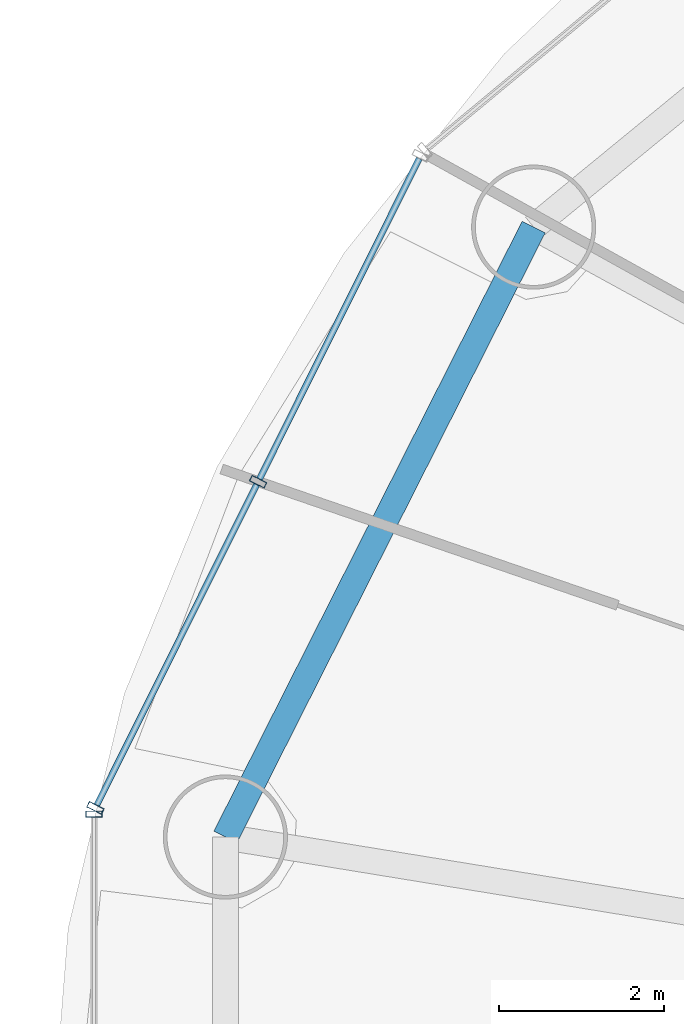
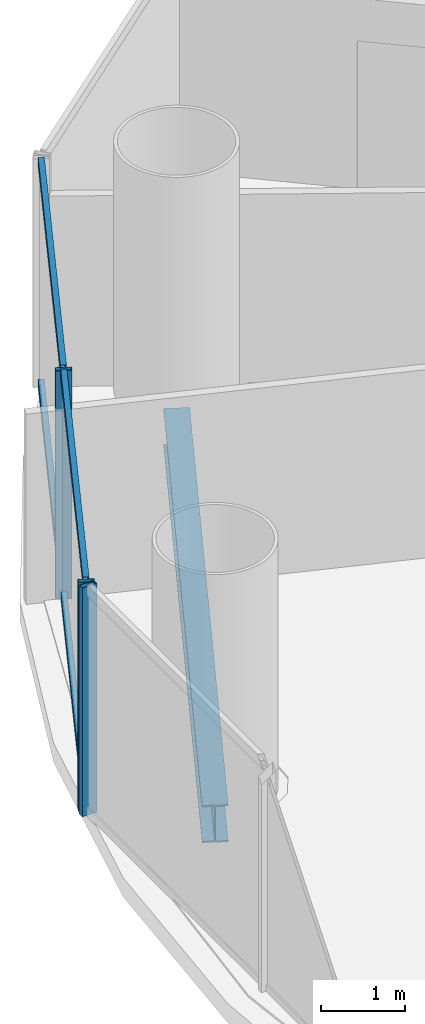
# One storey, part 9 of 29: 7 members, 1 beam, 2 elements without a shape of their own.
"""IFC4 building model written with IfcOpenShell, lengths in metres."""

from ifc_helpers import new_model, si_unit, direction, frame, origin, origin_2d, place, context, subcontext, project, spatial, hollow_rectangle, i_section, extrude, source, transform, mapped, material, material_profile, profile_set, type_object, element, aggregate, save


model = new_model("IFC4")

# Units and contexts
model_context = context("Model", 3, precision=1e-05, world=origin(), true_north=direction((-0.2419218956, 0.970295726276)))
body_context = subcontext(model_context, "Body", "Model", "MODEL_VIEW")
ifc_project = project(units=[si_unit("LENGTHUNIT", "METRE"), si_unit("AREAUNIT", "SQUARE_METRE"), si_unit("VOLUMEUNIT", "CUBIC_METRE"), si_unit("PLANEANGLEUNIT", "RADIAN"), si_unit("MASSUNIT", "GRAM", prefix="KILO")], contexts=[model_context])

# Site, building, storey
site_placement = place(None, origin())
site = spatial("IfcSite", under=ifc_project, at=site_placement, CompositionType="ELEMENT")
building_placement = place(site_placement, origin())
building = spatial("IfcBuilding", under=site, at=building_placement, Name="Cobrevalo Terracotta Tower", CompositionType="ELEMENT")
storey_placement = place(building_placement, frame((0.0, 0.0, 87.0)))
storey = spatial("IfcBuildingStorey", under=building, at=storey_placement, Name="L22", CompositionType="ELEMENT", Elevation=87.0)

# Beam
ifc_material_1 = material(Name="Steel S355", Category="steel")
ifc_material_profile_1 = material_profile(ifc_material_1, i_section(OverallWidth=0.31201171875, OverallDepth=0.54296875, WebThickness=0.0126953125, FlangeThickness=0.020263671875, at=origin_2d()), Name="W 530x150")
ifc_profile_set_1 = profile_set([ifc_material_profile_1], Name="Steel S355")
beam_type = type_object("IfcBeamType", Name="Structural Spandrel W 530x150 (Steel S355)", PredefinedType="SPANDREL", material=ifc_profile_set_1)
beam_placement = place(storey_placement, frame((17.2548828125, 38.161376953125, -0.54638671875), z_axis=(-0.451051982172, -0.892497680321, 0.0), x_axis=(0.892497680321, -0.451051982172, 0.0)))
element("IfcBeam", 1, at=beam_placement, inside=storey, type_object=beam_type, Name="L22 perimeter ring spandrel 07", PredefinedType="SPANDREL", context=body_context, shape_type="SweptSolid", body=[
    extrude(i_section(OverallWidth=0.31201171875, OverallDepth=0.54296875, WebThickness=0.0126953125, FlangeThickness=0.020263671875, at=origin_2d()), origin(), (0.0, 0.0, 1.0), 8.259765625),
])

# Curtain wall, members
ifc_material_2 = material(Name="Anodized aluminium", Category="aluminium")
curtain_wall_type = type_object("IfcCurtainWallType", Name="Lower-tower unitised acoustic low-E curtain wall CW-U1", PredefinedType="NOTDEFINED", material=ifc_material_2)
curtain_wall_1_placement = place(storey_placement, origin())
curtain_wall_1 = element("IfcCurtainWall", 2, at=curtain_wall_1_placement, inside=storey, type_object=curtain_wall_type, Name="L22 curtain wall CW-L22-S07", PredefinedType="NOTDEFINED")
ifc_material_profile_2 = material_profile(ifc_material_2, hollow_rectangle(XDim=0.074951171875, YDim=0.199951171875, WallThickness=0.0048828125, at=origin_2d()), Name="CWM 75x200")
ifc_profile_set_2 = profile_set([ifc_material_profile_2], Name="Anodized aluminium")
member_type_1 = type_object("IfcMemberType", Name="Lower/mid tower unitised mullion 75x200", PredefinedType="MULLION", material=ifc_profile_set_2)
shared_shape_1 = source(origin(), body_context, "Body", "SweptSolid", [
    extrude(hollow_rectangle(XDim=0.074951171875, YDim=0.199951171875, WallThickness=0.0048828125, at=origin_2d()), origin(), (0.0, 0.0, 1.0), 3.324951171875),
])
member_1_placement = place(storey_placement, frame((13.924072265625, 35.08349609375, 0.0), z_axis=(0.0, 0.0, 1.0), x_axis=(-0.446260290227, -0.894903208937, 0.0)))
member_1 = element("IfcMember", 3, at=member_1_placement, type_object=member_type_1, Name="CW-L22-S07 vertical mullion 02", PredefinedType="MULLION", context=body_context, shape_type="MappedRepresentation", body=[
    mapped(shared_shape_1, transform((0.0, 0.0, 0.0), scale=1.0)),
])
member_2_placement = place(storey_placement, frame((11.95849609375, 31.141357421875, 0.0), z_axis=(0.0, 0.0, 1.0), x_axis=(-0.446260290227, -0.894903208937, 0.0)))
member_2 = element("IfcMember", 4, at=member_2_placement, type_object=member_type_1, Name="CW-L22-S07 vertical mullion 03", PredefinedType="MULLION", context=body_context, shape_type="MappedRepresentation", body=[
    mapped(shared_shape_1, transform((0.0, 0.0, 0.0), scale=1.0)),
])

# Curtain wall, member
curtain_wall_2_placement = place(storey_placement, origin())
curtain_wall_2 = element("IfcCurtainWall", 5, at=curtain_wall_2_placement, inside=storey, type_object=curtain_wall_type, Name="L22 curtain wall CW-L22-S08", PredefinedType="NOTDEFINED")
member_3_placement = place(storey_placement, frame((11.9404296875, 31.065673828125, 0.0), z_axis=(0.0, 0.0, 1.0), x_axis=(0.0, -1.0, 0.0)))
member_3 = element("IfcMember", 6, at=member_3_placement, type_object=member_type_1, Name="CW-L22-S08 vertical mullion 01", PredefinedType="MULLION", context=body_context, shape_type="MappedRepresentation", body=[
    mapped(shared_shape_1, transform((0.0, 0.0, 0.0), scale=1.0)),
])
aggregate(curtain_wall_2, [member_3])

# Member
ifc_material_profile_3 = material_profile(ifc_material_2, hollow_rectangle(XDim=0.074951171875, YDim=0.14990234375, WallThickness=0.00439453125, at=origin_2d()), Name="CWT 75x150")
ifc_profile_set_3 = profile_set([ifc_material_profile_3], Name="Anodized aluminium")
member_type_2 = type_object("IfcMemberType", Name="Tower unitised aluminium transom 75x150", PredefinedType="USERDEFINED", material=ifc_profile_set_3)
shared_shape_2 = source(origin(), body_context, "Body", "SweptSolid", [
    extrude(hollow_rectangle(XDim=0.074951171875, YDim=0.14990234375, WallThickness=0.00439453125, at=origin_2d()), origin(), (0.0, 0.0, 1.0), 4.324951171875),
])
member_4_placement = place(storey_placement, frame((15.8720703125, 38.98974609375, 0.050048828125), z_axis=(-0.44624238083, -0.894912139571, 0.0), x_axis=(0.894912139571, -0.44624238083, 0.0)))
member_4 = element("IfcMember", 7, at=member_4_placement, type_object=member_type_2, Name="CW-L22-S07 transom B01-T1", ObjectType="TRANSOM", PredefinedType="USERDEFINED", context=body_context, shape_type="MappedRepresentation", body=[
    mapped(shared_shape_2, transform((0.0, 0.0, 0.0), scale=1.0)),
])

member_5_placement = place(storey_placement, frame((15.8720703125, 38.98974609375, 3.27490234375), z_axis=(-0.44624238083, -0.894912139571, 0.0), x_axis=(0.894912139571, -0.44624238083, 0.0)))
member_5 = element("IfcMember", 8, at=member_5_placement, type_object=member_type_2, Name="CW-L22-S07 transom B01-T2", ObjectType="TRANSOM", PredefinedType="USERDEFINED", context=body_context, shape_type="MappedRepresentation", body=[
    mapped(shared_shape_2, transform((0.0, 0.0, 0.0), scale=1.0)),
])

member_6_placement = place(storey_placement, frame((13.90625, 35.0478515625, 0.050048828125), z_axis=(-0.446219838389, -0.894923379864, 0.0), x_axis=(0.894923379864, -0.446219838389, 0.0)))
member_6 = element("IfcMember", 9, at=member_6_placement, type_object=member_type_2, Name="CW-L22-S07 transom B02-T1", ObjectType="TRANSOM", PredefinedType="USERDEFINED", context=body_context, shape_type="MappedRepresentation", body=[
    mapped(shared_shape_2, transform((0.0, 0.0, 0.0), scale=1.0)),
])

member_7_placement = place(storey_placement, frame((13.90625, 35.0478515625, 3.27490234375), z_axis=(-0.446219838389, -0.894923379864, 0.0), x_axis=(0.894923379864, -0.446219838389, 0.0)))
member_7 = element("IfcMember", 10, at=member_7_placement, type_object=member_type_2, Name="CW-L22-S07 transom B02-T2", ObjectType="TRANSOM", PredefinedType="USERDEFINED", context=body_context, shape_type="MappedRepresentation", body=[
    mapped(shared_shape_2, transform((0.0, 0.0, 0.0), scale=1.0)),
])

aggregate(curtain_wall_1, [member_1, member_2, member_4, member_5, member_6, member_7])

save(model, "model.ifc")
